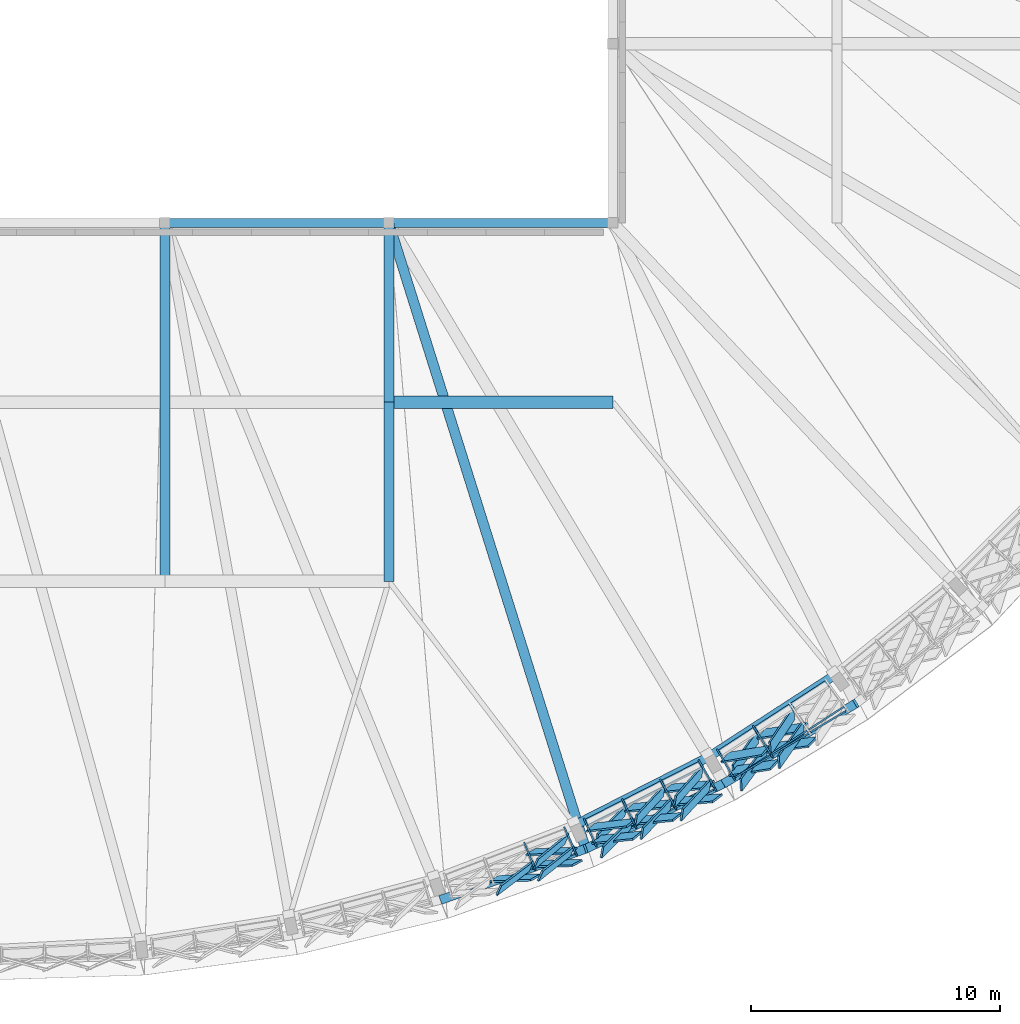
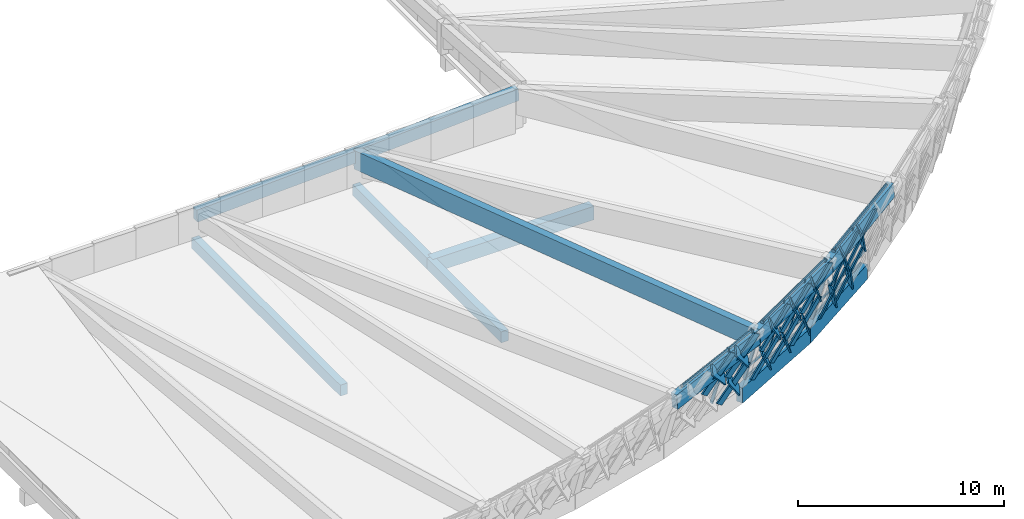
# One storey, part 4 of 11: 43 members, 12 beams, 3 elements without a shape of their own.
"""IFC4 building model written with IfcOpenShell, lengths in metres."""

from ifc_helpers import new_model, si_unit, direction, frame, origin, origin_2d, place, context, subcontext, project, spatial, rectangle, hollow_rectangle, extrude, material, material_profile, profile_set, type_object, element, aggregate, save


model = new_model("IFC4")

# Units and contexts
model_context = context("Model", 3, precision=1e-05, world=origin(), true_north=direction((0.0, 1.0)))
body_context = subcontext(model_context, "Body", "Model", "MODEL_VIEW")
ifc_project = project(units=[si_unit("LENGTHUNIT", "METRE"), si_unit("AREAUNIT", "SQUARE_METRE"), si_unit("VOLUMEUNIT", "CUBIC_METRE"), si_unit("PLANEANGLEUNIT", "RADIAN"), si_unit("MASSUNIT", "GRAM", prefix="KILO")], contexts=[model_context])

# Site, building, storey
site_placement = place(None, origin())
site = spatial("IfcSite", under=ifc_project, at=site_placement, CompositionType="ELEMENT")
building_placement = place(site_placement, origin())
building = spatial("IfcBuilding", under=site, at=building_placement, Name="Chiffa Square Polytechnic", CompositionType="ELEMENT")
storey_placement = place(building_placement, frame((0.0, 0.0, 30.60009765625)))
storey = spatial("IfcBuildingStorey", under=building, at=storey_placement, Name="ROOF", CompositionType="ELEMENT", Elevation=30.60009765625)

# Beams
ifc_material_1 = material(Name="Concrete C35/45", Category="concrete")
ifc_material_profile_1 = material_profile(ifc_material_1, rectangle(XDim=0.39990234375, YDim=0.64990234375, at=origin_2d()), Name="RC 400x650")
ifc_profile_set_1 = profile_set([ifc_material_profile_1], Name="Concrete C35/45")
beam_type_1 = type_object("IfcBeamType", Name="BM-RC-400X650", PredefinedType="BEAM", material=ifc_profile_set_1)
beam_1_placement = place(storey_placement, frame((130.199951171875, 14.39990234375, -1.30517578125), z_axis=(0.0, 1.0, 0.0), x_axis=(-1.0, 0.0, 0.0)))
element("IfcBeam", 1, at=beam_1_placement, inside=storey, type_object=beam_type_1, Name="Attic floor girder BM-V1-ROOF-Y-1302-0144", PredefinedType="BEAM", context=body_context, shape_type="SweptSolid", body=[
    extrude(rectangle(XDim=0.39990234375, YDim=0.64990234375, at=origin_2d()), origin(), (0.0, 0.0, 1.0), 14.400146484375),
])
beam_2_placement = place(storey_placement, frame((139.199951171875, 14.39990234375, -1.30517578125), z_axis=(0.0, 1.0, 0.0), x_axis=(-1.0, 0.0, 0.0)))
element("IfcBeam", 2, at=beam_2_placement, inside=storey, type_object=beam_type_1, Name="Attic floor girder BM-V1-ROOF-Y-1392-0144", PredefinedType="BEAM", context=body_context, shape_type="SweptSolid", body=[
    extrude(rectangle(XDim=0.39990234375, YDim=0.64990234375, at=origin_2d()), origin(), (0.0, 0.0, 1.0), 7.2001953125),
])
beam_3_placement = place(storey_placement, frame((139.199951171875, 21.60009765625, -1.30517578125), z_axis=(0.0, 1.0, 0.0), x_axis=(-1.0, 0.0, 0.0)))
element("IfcBeam", 3, at=beam_3_placement, inside=storey, type_object=beam_type_1, Name="Attic floor girder BM-V1-ROOF-Y-1392-0216", PredefinedType="BEAM", context=body_context, shape_type="SweptSolid", body=[
    extrude(rectangle(XDim=0.39990234375, YDim=0.64990234375, at=origin_2d()), origin(), (0.0, 0.0, 1.0), 7.199951171875),
])
ifc_material_2 = material(Name="Concrete C40/50", Category="concrete")
ifc_material_profile_2 = material_profile(ifc_material_2, rectangle(XDim=0.5, YDim=0.800048828125, at=origin_2d()), Name="RC 500x800")
ifc_profile_set_2 = profile_set([ifc_material_profile_2], Name="Concrete C40/50")
beam_type_2 = type_object("IfcBeamType", Name="BM-RC-500X800", PredefinedType="BEAM", material=ifc_profile_set_2)
beam_4_placement = place(storey_placement, frame((139.199951171875, 21.60009765625, -1.380126953125), z_axis=(1.0, 0.0, 0.0), x_axis=(0.0, 1.0, 0.0)))
element("IfcBeam", 4, at=beam_4_placement, inside=storey, type_object=beam_type_2, Name="Attic floor girder BM-V1-ROOF-X-1392-0216", PredefinedType="BEAM", context=body_context, shape_type="SweptSolid", body=[
    extrude(rectangle(XDim=0.5, YDim=0.800048828125, at=origin_2d()), origin(), (0.0, 0.0, 1.0), 9.0),
])

# Curtain wall, members
ifc_material_3 = material(Name="Aluminium EN AW-6060 T66 and glulam shading", Category="wood")
curtain_wall_type_1 = type_object("IfcCurtainWallType", Name="CW-PROW-LEAN-300", PredefinedType="USERDEFINED", material=ifc_material_3)
curtain_wall_1_placement = place(storey_placement, origin())
curtain_wall_1 = element("IfcCurtainWall", 5, at=curtain_wall_1_placement, inside=storey, type_object=curtain_wall_type_1, Name="Outward-leaning diamond-fin prow curtain wall CW-V1-ROOF-115", ObjectType="CURTAIN WALL", PredefinedType="USERDEFINED")
ifc_material_4 = material(Name="Aluminium EN AW-6060 T66", Category="aluminium")
ifc_material_profile_3 = material_profile(ifc_material_4, hollow_rectangle(XDim=0.06494140625, YDim=0.179931640625, WallThickness=0.00390625, at=origin_2d()), Name="ALU 65x180x4")
ifc_profile_set_3 = profile_set([ifc_material_profile_3], Name="Aluminium EN AW-6060 T66")
member_type_1 = type_object("IfcMemberType", Name="CWM-ALU-75X180", PredefinedType="MULLION", material=ifc_profile_set_3)
member_1_placement = place(storey_placement, frame((144.6669921875, 3.837646484375, -0.75), z_axis=(0.101894614975, -0.252118943945, 0.962316749071), x_axis=(0.927143040827, 0.374707595128, 0.0)))
member_1 = element("IfcMember", 6, at=member_1_placement, type_object=member_type_1, Name="Leaning prow mullion CW-V1-ROOF-115-M02", PredefinedType="MULLION", context=body_context, shape_type="SweptSolid", body=[
    extrude(hollow_rectangle(XDim=0.06494140625, YDim=0.179931640625, WallThickness=0.00390625, at=origin_2d()), origin(), (0.0, 0.0, 1.0), 3.823974609375),
])
member_2_placement = place(storey_placement, frame((146.280029296875, 4.45703125, -0.75), z_axis=(0.110746294527, -0.24872528443, 0.962221903271), x_axis=(0.913536363976, 0.406757067172, 0.0)))
member_2 = element("IfcMember", 7, at=member_2_placement, type_object=member_type_1, Name="Leaning prow mullion CW-V1-ROOF-115-M03", PredefinedType="MULLION", context=body_context, shape_type="SweptSolid", body=[
    extrude(hollow_rectangle(XDim=0.06494140625, YDim=0.179931640625, WallThickness=0.00390625, at=origin_2d()), origin(), (0.0, 0.0, 1.0), 4.0341796875),
])

curtain_wall_type_2 = type_object("IfcCurtainWallType", Name="CW-PROW-LEAN-150", PredefinedType="USERDEFINED", material=ifc_material_3)
curtain_wall_2_placement = place(storey_placement, origin())
curtain_wall_2 = element("IfcCurtainWall", 8, at=curtain_wall_2_placement, inside=storey, type_object=curtain_wall_type_2, Name="Outward-leaning diamond-fin prow curtain wall CW-V1-ROOF-116", ObjectType="CURTAIN WALL", PredefinedType="USERDEFINED")
member_3_placement = place(storey_placement, frame((147.06396484375, 4.805908203125, -0.75), z_axis=(0.110802732449, -0.248837157745, 0.962186480578), x_axis=(0.913527325173, 0.406777366827, 0.0)))
member_3 = element("IfcMember", 9, at=member_3_placement, type_object=member_type_1, Name="Leaning prow mullion CW-V1-ROOF-116-M00", PredefinedType="MULLION", context=body_context, shape_type="SweptSolid", body=[
    extrude(hollow_rectangle(XDim=0.06494140625, YDim=0.179931640625, WallThickness=0.00390625, at=origin_2d()), origin(), (0.0, 0.0, 1.0), 4.034423828125),
])
member_4_placement = place(storey_placement, frame((148.603271484375, 5.59033203125, -0.75), z_axis=(0.119302598617, -0.244512970146, 0.962278700478), x_axis=(0.898727918877, 0.43850670215, 0.0)))
member_4 = element("IfcMember", 10, at=member_4_placement, type_object=member_type_1, Name="Leaning prow mullion CW-V1-ROOF-116-M01", PredefinedType="MULLION", context=body_context, shape_type="SweptSolid", body=[
    extrude(hollow_rectangle(XDim=0.06494140625, YDim=0.179931640625, WallThickness=0.00390625, at=origin_2d()), origin(), (0.0, 0.0, 1.0), 4.256591796875),
])
member_5_placement = place(storey_placement, frame((150.142578125, 6.374755859375, -0.75), z_axis=(0.127773889008, -0.240175663383, 0.96228347383), x_axis=(0.882840570816, 0.469672786653, 0.0)))
member_5 = element("IfcMember", 11, at=member_5_placement, type_object=member_type_1, Name="Leaning prow mullion CW-V1-ROOF-116-M02", PredefinedType="MULLION", context=body_context, shape_type="SweptSolid", body=[
    extrude(hollow_rectangle(XDim=0.06494140625, YDim=0.179931640625, WallThickness=0.00390625, at=origin_2d()), origin(), (0.0, 0.0, 1.0), 4.478759765625),
])
member_6_placement = place(storey_placement, frame((151.681884765625, 7.158935546875, -0.75), z_axis=(0.136255725428, -0.235799256543, 0.962202207388), x_axis=(0.865839376274, 0.500322070765, 0.0)))
member_6 = element("IfcMember", 12, at=member_6_placement, type_object=member_type_1, Name="Leaning prow mullion CW-V1-ROOF-116-M03", PredefinedType="MULLION", context=body_context, shape_type="SweptSolid", body=[
    extrude(hollow_rectangle(XDim=0.06494140625, YDim=0.179931640625, WallThickness=0.00390625, at=origin_2d()), origin(), (0.0, 0.0, 1.0), 4.70166015625),
])

curtain_wall_3_placement = place(storey_placement, origin())
curtain_wall_3 = element("IfcCurtainWall", 13, at=curtain_wall_3_placement, inside=storey, type_object=curtain_wall_type_1, Name="Outward-leaning diamond-fin prow curtain wall CW-V1-ROOF-117", ObjectType="CURTAIN WALL", PredefinedType="USERDEFINED")
member_7_placement = place(storey_placement, frame((152.426025390625, 7.587890625, -0.75), z_axis=(0.136157131614, -0.23570450816, 0.962239377881), x_axis=(0.865909142837, 0.500201315823, 0.0)))
member_7 = element("IfcMember", 14, at=member_7_placement, type_object=member_type_1, Name="Leaning prow mullion CW-V1-ROOF-117-M00", PredefinedType="MULLION", context=body_context, shape_type="SweptSolid", body=[
    extrude(hollow_rectangle(XDim=0.06494140625, YDim=0.179931640625, WallThickness=0.00390625, at=origin_2d()), origin(), (0.0, 0.0, 1.0), 4.701416015625),
])
member_8_placement = place(storey_placement, frame((153.874755859375, 8.529052734375, -0.75), z_axis=(0.144159133107, -0.230585353264, 0.962314158268), x_axis=(0.847926754906, 0.530113401372, 0.0)))
member_8 = element("IfcMember", 15, at=member_8_placement, type_object=member_type_1, Name="Leaning prow mullion CW-V1-ROOF-117-M01", PredefinedType="MULLION", context=body_context, shape_type="SweptSolid", body=[
    extrude(hollow_rectangle(XDim=0.06494140625, YDim=0.179931640625, WallThickness=0.00390625, at=origin_2d()), origin(), (0.0, 0.0, 1.0), 4.93505859375),
])

# Member
ifc_material_5 = material(Name="Glulam GL28h", Category="wood")
ifc_material_profile_4 = material_profile(ifc_material_5, rectangle(XDim=0.080078125, YDim=0.580078125, at=origin_2d()), Name="GL28h 80x580")
ifc_profile_set_4 = profile_set([ifc_material_profile_4], Name="Glulam GL28h")
member_type_2 = type_object("IfcMemberType", Name="CWM-GL-80X580", PredefinedType="MULLION", material=ifc_profile_set_4)
member_9_placement = place(storey_placement, frame((143.447021484375, 2.43896484375, 0.994873046875), z_axis=(0.65816503881, 0.025156530372, 0.75245327474), x_axis=(-0.305115859346, 0.922599923115, 0.236037484829)))
member_9 = element("IfcMember", 16, at=member_9_placement, type_object=member_type_2, Name="Diamond glulam fin CW-V1-ROOF-115-DF04A", PredefinedType="MULLION", context=body_context, shape_type="SweptSolid", body=[
    extrude(rectangle(XDim=0.080078125, YDim=0.580078125, at=origin_2d()), origin(), (0.0, 0.0, 1.0), 2.50390625),
])

member_10_placement = place(storey_placement, frame((144.906005859375, 2.972900390625, 1.083984375), z_axis=(-0.564489246854, -0.43007690166, 0.704546484517), x_axis=(0.766619452498, -0.589590240646, 0.254318625323)))
member_10 = element("IfcMember", 17, at=member_10_placement, type_object=member_type_2, Name="Diamond glulam fin CW-V1-ROOF-115-DF04B", PredefinedType="MULLION", context=body_context, shape_type="SweptSolid", body=[
    extrude(rectangle(XDim=0.080078125, YDim=0.580078125, at=origin_2d()), origin(), (0.0, 0.0, 1.0), 2.292236328125),
])

member_11_placement = place(storey_placement, frame((144.89404296875, 3.510986328125, -0.710205078125), z_axis=(0.65738982588, 0.024257927154, 0.753160122285), x_axis=(-0.304150909774, 0.922992528411, 0.235747781708)))
member_11 = element("IfcMember", 18, at=member_11_placement, type_object=member_type_2, Name="Diamond glulam fin CW-V1-ROOF-115-DF05A", PredefinedType="MULLION", context=body_context, shape_type="SweptSolid", body=[
    extrude(rectangle(XDim=0.080078125, YDim=0.580078125, at=origin_2d()), origin(), (0.0, 0.0, 1.0), 2.51611328125),
])

member_12_placement = place(storey_placement, frame((146.330078125, 4.06298828125, -0.710205078125), z_axis=(-0.51371875559, -0.423121850147, 0.746365151975), x_axis=(0.799992512666, -0.550569146348, 0.238507011991)))
member_12 = element("IfcMember", 19, at=member_12_placement, type_object=member_type_2, Name="Diamond glulam fin CW-V1-ROOF-115-DF05B", PredefinedType="MULLION", context=body_context, shape_type="SweptSolid", body=[
    extrude(rectangle(XDim=0.080078125, YDim=0.580078125, at=origin_2d()), origin(), (0.0, 0.0, 1.0), 2.419921875),
])

member_13_placement = place(storey_placement, frame((145.0869140625, 3.0390625, 1.095947265625), z_axis=(0.64551289556, 0.016529938836, 0.763570470086), x_axis=(-0.297448288662, 0.92626957802, 0.231406967065)))
member_13 = element("IfcMember", 20, at=member_13_placement, type_object=member_type_2, Name="Diamond glulam fin CW-V1-ROOF-115-DF06A", PredefinedType="MULLION", context=body_context, shape_type="SweptSolid", body=[
    extrude(rectangle(XDim=0.080078125, YDim=0.580078125, at=origin_2d()), origin(), (0.0, 0.0, 1.0), 2.599365234375),
])

member_14_placement = place(storey_placement, frame((146.548095703125, 3.572021484375, 1.184814453125), z_axis=(-0.537827053086, -0.42639193647, 0.727277098142), x_axis=(0.784222743148, -0.569645994949, 0.245963675302)))
member_14 = element("IfcMember", 21, at=member_14_placement, type_object=member_type_2, Name="Diamond glulam fin CW-V1-ROOF-115-DF06B", PredefinedType="MULLION", context=body_context, shape_type="SweptSolid", body=[
    extrude(rectangle(XDim=0.080078125, YDim=0.580078125, at=origin_2d()), origin(), (0.0, 0.0, 1.0), 2.359619140625),
])

member_15_placement = place(storey_placement, frame((147.323974609375, 4.5048828125, -0.710205078125), z_axis=(0.626595175375, 0.073321947896, 0.775888122188), x_axis=(-0.453414549086, 0.844029029144, 0.286409225827)))
member_15 = element("IfcMember", 22, at=member_15_placement, type_object=member_type_2, Name="Diamond glulam fin CW-V1-ROOF-116-DF01A", PredefinedType="MULLION", context=body_context, shape_type="SweptSolid", body=[
    extrude(rectangle(XDim=0.080078125, YDim=0.580078125, at=origin_2d()), origin(), (0.0, 0.0, 1.0), 2.58056640625),
])

member_16_placement = place(storey_placement, frame((148.694091796875, 5.202880859375, -0.710205078125), z_axis=(-0.455396047053, -0.471539358421, 0.755158972527), x_axis=(0.879075037296, -0.372364796549, 0.297609705982)))
member_16 = element("IfcMember", 23, at=member_16_placement, type_object=member_type_2, Name="Diamond glulam fin CW-V1-ROOF-116-DF01B", PredefinedType="MULLION", context=body_context, shape_type="SweptSolid", body=[
    extrude(rectangle(XDim=0.080078125, YDim=0.580078125, at=origin_2d()), origin(), (0.0, 0.0, 1.0), 2.525634765625),
])

member_17_placement = place(storey_placement, frame((147.5439453125, 4.011962890625, 1.197021484375), z_axis=(0.615716554925, 0.064460969888, 0.785326624629), x_axis=(-0.447367606399, 0.849040094066, 0.281057188866)))
member_17 = element("IfcMember", 24, at=member_17_placement, type_object=member_type_2, Name="Diamond glulam fin CW-V1-ROOF-116-DF02A", PredefinedType="MULLION", context=body_context, shape_type="SweptSolid", body=[
    extrude(rectangle(XDim=0.080078125, YDim=0.580078125, at=origin_2d()), origin(), (0.0, 0.0, 1.0), 2.670166015625),
])

member_18_placement = place(storey_placement, frame((148.94091796875, 4.694091796875, 1.2919921875), z_axis=(-0.478234495512, -0.477837373241, 0.736860374858), x_axis=(0.866419978579, -0.39384993157, 0.306917989244)))
member_18 = element("IfcMember", 25, at=member_18_placement, type_object=member_type_2, Name="Diamond glulam fin CW-V1-ROOF-116-DF02B", PredefinedType="MULLION", context=body_context, shape_type="SweptSolid", body=[
    extrude(rectangle(XDim=0.080078125, YDim=0.580078125, at=origin_2d()), origin(), (0.0, 0.0, 1.0), 2.458984375),
])

member_19_placement = place(storey_placement, frame((148.863037109375, 5.2890625, -0.710205078125), z_axis=(0.614890113677, 0.063690896652, 0.786036651681), x_axis=(-0.446754245007, 0.849498356268, 0.280647799325)))
member_19 = element("IfcMember", 26, at=member_19_placement, type_object=member_type_2, Name="Diamond glulam fin CW-V1-ROOF-116-DF03A", PredefinedType="MULLION", context=body_context, shape_type="SweptSolid", body=[
    extrude(rectangle(XDim=0.080078125, YDim=0.580078125, at=origin_2d()), origin(), (0.0, 0.0, 1.0), 2.683349609375),
])

member_20_placement = place(storey_placement, frame((150.23388671875, 5.987060546875, -0.710205078125), z_axis=(-0.430319552047, -0.46456124302, 0.773956028861), x_axis=(0.892439674818, -0.347712532527, 0.287484645736)))
member_20 = element("IfcMember", 27, at=member_20_placement, type_object=member_type_2, Name="Diamond glulam fin CW-V1-ROOF-116-DF03B", PredefinedType="MULLION", context=body_context, shape_type="SweptSolid", body=[
    extrude(rectangle(XDim=0.080078125, YDim=0.580078125, at=origin_2d()), origin(), (0.0, 0.0, 1.0), 2.6025390625),
])

member_21_placement = place(storey_placement, frame((149.114013671875, 4.778076171875, 1.303955078125), z_axis=(0.60482178086, 0.056231793681, 0.794373085381), x_axis=(-0.441572593863, 0.853795009248, 0.275767522622)))
member_21 = element("IfcMember", 28, at=member_21_placement, type_object=member_type_2, Name="Diamond glulam fin CW-V1-ROOF-116-DF04A", PredefinedType="MULLION", context=body_context, shape_type="SweptSolid", body=[
    extrude(rectangle(XDim=0.080078125, YDim=0.580078125, at=origin_2d()), origin(), (0.0, 0.0, 1.0), 2.7744140625),
])

member_22_placement = place(storey_placement, frame((150.512939453125, 5.4599609375, 1.39892578125), z_axis=(-0.453256971143, -0.470593616873, 0.757033530214), x_axis=(0.880167082076, -0.370565272895, 0.296626509528)))
member_22 = element("IfcMember", 29, at=member_22_placement, type_object=member_type_2, Name="Diamond glulam fin CW-V1-ROOF-116-DF04B", PredefinedType="MULLION", context=body_context, shape_type="SweptSolid", body=[
    extrude(rectangle(XDim=0.080078125, YDim=0.580078125, at=origin_2d()), origin(), (0.0, 0.0, 1.0), 2.534912109375),
])

member_23_placement = place(storey_placement, frame((150.403076171875, 6.073974609375, -0.710205078125), z_axis=(0.603851532624, 0.055277864077, 0.795177768987), x_axis=(-0.440725023046, 0.854387123313, 0.275289116343)))
member_23 = element("IfcMember", 30, at=member_23_placement, type_object=member_type_2, Name="Diamond glulam fin CW-V1-ROOF-116-DF05A", PredefinedType="MULLION", context=body_context, shape_type="SweptSolid", body=[
    extrude(rectangle(XDim=0.080078125, YDim=0.580078125, at=origin_2d()), origin(), (0.0, 0.0, 1.0), 2.786865234375),
])

member_24_placement = place(storey_placement, frame((151.77294921875, 6.77197265625, -0.710205078125), z_axis=(-0.405461245549, -0.457737695446, 0.79125051692), x_axis=(0.90515826261, -0.321901088077, 0.277611615615)))
member_24 = element("IfcMember", 31, at=member_24_placement, type_object=member_type_2, Name="Diamond glulam fin CW-V1-ROOF-116-DF05B", PredefinedType="MULLION", context=body_context, shape_type="SweptSolid", body=[
    extrude(rectangle(XDim=0.080078125, YDim=0.580078125, at=origin_2d()), origin(), (0.0, 0.0, 1.0), 2.6806640625),
])

member_25_placement = place(storey_placement, frame((150.68603515625, 5.544921875, 1.410888671875), z_axis=(0.59474952726, 0.048658242396, 0.80243714724), x_axis=(-0.435738909131, 0.858334360912, 0.270912768149)))
member_25 = element("IfcMember", 32, at=member_25_placement, type_object=member_type_2, Name="Diamond glulam fin CW-V1-ROOF-116-DF06A", PredefinedType="MULLION", context=body_context, shape_type="SweptSolid", body=[
    extrude(rectangle(XDim=0.080078125, YDim=0.580078125, at=origin_2d()), origin(), (0.0, 0.0, 1.0), 2.880126953125),
])

member_26_placement = place(storey_placement, frame((152.0859375, 6.22802734375, 1.505859375), z_axis=(-0.427958993214, -0.463941568533, 0.77563478591), x_axis=(0.89367653771, -0.345298406244, 0.286550617855)))
member_26 = element("IfcMember", 33, at=member_26_placement, type_object=member_type_2, Name="Diamond glulam fin CW-V1-ROOF-116-DF06B", PredefinedType="MULLION", context=body_context, shape_type="SweptSolid", body=[
    extrude(rectangle(XDim=0.080078125, YDim=0.580078125, at=origin_2d()), origin(), (0.0, 0.0, 1.0), 2.6123046875),
])

member_27_placement = place(storey_placement, frame((152.716064453125, 7.31591796875, -0.710205078125), z_axis=(0.572431696334, 0.097582316019, 0.814125079231), x_axis=(-0.57803363201, 0.752231887702, 0.316266197041)))
member_27 = element("IfcMember", 34, at=member_27_placement, type_object=member_type_2, Name="Diamond glulam fin CW-V1-ROOF-117-DF01A", PredefinedType="MULLION", context=body_context, shape_type="SweptSolid", body=[
    extrude(rectangle(XDim=0.080078125, YDim=0.580078125, at=origin_2d()), origin(), (0.0, 0.0, 1.0), 2.859619140625),
])

member_28_placement = place(storey_placement, frame((154.0048828125, 8.153076171875, -0.710205078125), z_axis=(-0.347830934743, -0.494469823167, 0.79656339033), x_axis=(0.935564305331, -0.127688989258, 0.329264259544)))
member_28 = element("IfcMember", 35, at=member_28_placement, type_object=member_type_2, Name="Diamond glulam fin CW-V1-ROOF-117-DF01B", PredefinedType="MULLION", context=body_context, shape_type="SweptSolid", body=[
    extrude(rectangle(XDim=0.080078125, YDim=0.580078125, at=origin_2d()), origin(), (0.0, 0.0, 1.0), 2.797119140625),
])

member_29_placement = place(storey_placement, frame((153.031982421875, 6.77001953125, 1.517822265625), z_axis=(0.563978572164, 0.089843865577, 0.820887477038), x_axis=(-0.573459730853, 0.757891396636, 0.311037888359)))
member_29 = element("IfcMember", 36, at=member_29_placement, type_object=member_type_2, Name="Diamond glulam fin CW-V1-ROOF-117-DF02A", PredefinedType="MULLION", context=body_context, shape_type="SweptSolid", body=[
    extrude(rectangle(XDim=0.080078125, YDim=0.580078125, at=origin_2d()), origin(), (0.0, 0.0, 1.0), 2.959228515625),
])

member_30_placement = place(storey_placement, frame((154.35302734375, 7.594970703125, 1.617919921875), z_axis=(-0.369120162817, -0.50306855321, 0.781455268184), x_axis=(0.927958891978, -0.152988157733, 0.339833662831)))
member_30 = element("IfcMember", 37, at=member_30_placement, type_object=member_type_2, Name="Diamond glulam fin CW-V1-ROOF-117-DF02B", PredefinedType="MULLION", context=body_context, shape_type="SweptSolid", body=[
    extrude(rectangle(XDim=0.080078125, YDim=0.580078125, at=origin_2d()), origin(), (0.0, 0.0, 1.0), 2.72314453125),
])

member_31_placement = place(storey_placement, frame((154.1650390625, 8.257080078125, -0.710205078125), z_axis=(0.563307705906, 0.089133565832, 0.821425368435), x_axis=(-0.572956865725, 0.758444396301, 0.310616367466)))
member_31 = element("IfcMember", 38, at=member_31_placement, type_object=member_type_2, Name="Diamond glulam fin CW-V1-ROOF-117-DF03A", PredefinedType="MULLION", context=body_context, shape_type="SweptSolid", body=[
    extrude(rectangle(XDim=0.080078125, YDim=0.580078125, at=origin_2d()), origin(), (0.0, 0.0, 1.0), 2.971923828125),
])

member_32_placement = place(storey_placement, frame((155.4541015625, 9.093994140625, -0.710205078125), z_axis=(-0.32534660626, -0.484547964867, 0.81201161047), x_axis=(0.942808055849, -0.100345413035, 0.31787382388)))
member_32 = element("IfcMember", 39, at=member_32_placement, type_object=member_type_2, Name="Diamond glulam fin CW-V1-ROOF-117-DF03B", PredefinedType="MULLION", context=body_context, shape_type="SweptSolid", body=[
    extrude(rectangle(XDim=0.080078125, YDim=0.580078125, at=origin_2d()), origin(), (0.0, 0.0, 1.0), 2.883056640625),
])

member_33_placement = place(storey_placement, frame((154.51611328125, 7.697021484375, 1.630859375), z_axis=(0.555981891105, 0.082014481364, 0.827138296544), x_axis=(-0.56805926493, 0.76395016737, 0.306086284082)))
member_33 = element("IfcMember", 40, at=member_33_placement, type_object=member_type_2, Name="Diamond glulam fin CW-V1-ROOF-117-DF04A", PredefinedType="MULLION", context=body_context, shape_type="SweptSolid", body=[
    extrude(rectangle(XDim=0.080078125, YDim=0.580078125, at=origin_2d()), origin(), (0.0, 0.0, 1.0), 3.072021484375),
])

member_34_placement = place(storey_placement, frame((155.839111328125, 8.52197265625, 1.73095703125), z_axis=(-0.345934705293, -0.493683087468, 0.797876048533), x_axis=(0.936205657576, -0.125398766226, 0.328320142776)))
member_34 = element("IfcMember", 41, at=member_34_placement, type_object=member_type_2, Name="Diamond glulam fin CW-V1-ROOF-117-DF04B", PredefinedType="MULLION", context=body_context, shape_type="SweptSolid", body=[
    extrude(rectangle(XDim=0.080078125, YDim=0.580078125, at=origin_2d()), origin(), (0.0, 0.0, 1.0), 2.807373046875),
])

ifc_material_profile_5 = material_profile(ifc_material_4, hollow_rectangle(XDim=0.06494140625, YDim=0.139892578125, WallThickness=0.00390625, at=origin_2d()), Name="ALU 65x140x4")
ifc_profile_set_5 = profile_set([ifc_material_profile_5], Name="Aluminium EN AW-6060 T66")
member_type_3 = type_object("IfcMemberType", Name="CWT-ALU-75X140", PredefinedType="USERDEFINED", material=ifc_profile_set_5)
member_35_placement = place(storey_placement, frame((141.797119140625, 1.759521484375, 2.475830078125), z_axis=(0.938486764527, 0.32479720645, 0.117257696932), x_axis=(-0.327053377057, 0.945005866943, 0.0)))
member_35 = element("IfcMember", 42, at=member_35_placement, type_object=member_type_3, Name="Swept prow eave transom CW-V1-ROOF-115-TSLP", ObjectType="TRANSOM", PredefinedType="USERDEFINED", context=body_context, shape_type="SweptSolid", body=[
    extrude(hollow_rectangle(XDim=0.06494140625, YDim=0.139892578125, WallThickness=0.00390625, at=origin_2d()), origin(), (0.0, 0.0, 1.0), 5.167724609375),
])

aggregate(curtain_wall_1, [member_1, member_2, member_35, member_9, member_10, member_11, member_12, member_13, member_14])

member_36_placement = place(storey_placement, frame((147.068603515625, 4.795654296875, -0.710205078125), z_axis=(0.891010743756, 0.453982218277, 0.0), x_axis=(-0.453982218277, 0.891010743756, 0.0)))
member_36 = element("IfcMember", 43, at=member_36_placement, type_object=member_type_3, Name="Leaning prow transom CW-V1-ROOF-116-T01", ObjectType="TRANSOM", PredefinedType="USERDEFINED", context=body_context, shape_type="SweptSolid", body=[
    extrude(hollow_rectangle(XDim=0.06494140625, YDim=0.139892578125, WallThickness=0.00390625, at=origin_2d()), origin(), (0.0, 0.0, 1.0), 5.18408203125),
])

member_37_placement = place(storey_placement, frame((147.161865234375, 4.586181640625, 0.099853515625), z_axis=(0.890997995144, 0.454007238542, 0.0), x_axis=(-0.454007238542, 0.890997995144, 0.0)))
member_37 = element("IfcMember", 44, at=member_37_placement, type_object=member_type_3, Name="Leaning prow transom CW-V1-ROOF-116-T02", ObjectType="TRANSOM", PredefinedType="USERDEFINED", context=body_context, shape_type="SweptSolid", body=[
    extrude(hollow_rectangle(XDim=0.06494140625, YDim=0.139892578125, WallThickness=0.00390625, at=origin_2d()), origin(), (0.0, 0.0, 1.0), 5.2080078125),
])

member_38_placement = place(storey_placement, frame((147.50634765625, 3.8125, 3.091796875), z_axis=(0.89098110087, 0.454040392358, 0.0), x_axis=(-0.454040392358, 0.89098110087, 0.0)))
member_38 = element("IfcMember", 45, at=member_38_placement, type_object=member_type_3, Name="Leaning prow transom CW-V1-ROOF-116-T03", ObjectType="TRANSOM", PredefinedType="USERDEFINED", context=body_context, shape_type="SweptSolid", body=[
    extrude(hollow_rectangle(XDim=0.06494140625, YDim=0.139892578125, WallThickness=0.00390625, at=origin_2d()), origin(), (0.0, 0.0, 1.0), 5.296875),
])

member_39_placement = place(storey_placement, frame((147.576171875, 3.85107421875, 3.081787109375), z_axis=(0.899458135164, 0.419129333419, 0.123716065869), x_axis=(-0.422374155996, 0.906421575398, 0.0)))
member_39 = element("IfcMember", 46, at=member_39_placement, type_object=member_type_3, Name="Swept prow eave transom CW-V1-ROOF-116-TSLP", ObjectType="TRANSOM", PredefinedType="USERDEFINED", context=body_context, shape_type="SweptSolid", body=[
    extrude(hollow_rectangle(XDim=0.06494140625, YDim=0.139892578125, WallThickness=0.00390625, at=origin_2d()), origin(), (0.0, 0.0, 1.0), 5.18994140625),
])

aggregate(curtain_wall_2, [member_3, member_4, member_5, member_6, member_36, member_37, member_38, member_39, member_15, member_16, member_17, member_18, member_19, member_20, member_21, member_22, member_23, member_24, member_25, member_26])

member_40_placement = place(storey_placement, frame((152.431640625, 7.578125, -0.710205078125), z_axis=(0.838613589117, 0.544726764671, 0.0), x_axis=(-0.544726764671, 0.838613589117, 0.0)))
member_40 = element("IfcMember", 47, at=member_40_placement, type_object=member_type_3, Name="Leaning prow transom CW-V1-ROOF-117-T01", ObjectType="TRANSOM", PredefinedType="USERDEFINED", context=body_context, shape_type="SweptSolid", body=[
    extrude(hollow_rectangle(XDim=0.06494140625, YDim=0.139892578125, WallThickness=0.00390625, at=origin_2d()), origin(), (0.0, 0.0, 1.0), 5.183837890625),
])

member_41_placement = place(storey_placement, frame((152.54638671875, 7.3798828125, 0.099853515625), z_axis=(0.838626740652, 0.544706517185, 0.0), x_axis=(-0.544706517185, 0.838626740652, 0.0)))
member_41 = element("IfcMember", 48, at=member_41_placement, type_object=member_type_3, Name="Leaning prow transom CW-V1-ROOF-117-T02", ObjectType="TRANSOM", PredefinedType="USERDEFINED", context=body_context, shape_type="SweptSolid", body=[
    extrude(hollow_rectangle(XDim=0.06494140625, YDim=0.139892578125, WallThickness=0.00390625, at=origin_2d()), origin(), (0.0, 0.0, 1.0), 5.207275390625),
])

member_42_placement = place(storey_placement, frame((153.060546875, 6.489501953125, 3.73388671875), z_axis=(0.838660775182, 0.544654114251, 0.0), x_axis=(-0.544654114251, 0.838660775182, 0.0)))
member_42 = element("IfcMember", 49, at=member_42_placement, type_object=member_type_3, Name="Leaning prow transom CW-V1-ROOF-117-T03", ObjectType="TRANSOM", PredefinedType="USERDEFINED", context=body_context, shape_type="SweptSolid", body=[
    extrude(hollow_rectangle(XDim=0.06494140625, YDim=0.139892578125, WallThickness=0.00390625, at=origin_2d()), origin(), (0.0, 0.0, 1.0), 5.3154296875),
])

member_43_placement = place(storey_placement, frame((153.1259765625, 6.535400390625, 3.723876953125), z_axis=(0.850961559346, 0.509012616378, 0.129501277538), x_axis=(-0.513335281842, 0.858188142785, 0.0)))
member_43 = element("IfcMember", 50, at=member_43_placement, type_object=member_type_3, Name="Swept prow eave transom CW-V1-ROOF-117-TSLP", ObjectType="TRANSOM", PredefinedType="USERDEFINED", context=body_context, shape_type="SweptSolid", body=[
    extrude(hollow_rectangle(XDim=0.06494140625, YDim=0.139892578125, WallThickness=0.00390625, at=origin_2d()), origin(), (0.0, 0.0, 1.0), 5.212646484375),
])

aggregate(curtain_wall_3, [member_7, member_8, member_40, member_41, member_42, member_43, member_27, member_28, member_29, member_30, member_31, member_32, member_33, member_34])

# Beams
ifc_material_6 = material(Name="Glulam GL32c", Category="wood")
ifc_material_profile_6 = material_profile(ifc_material_6, rectangle(XDim=0.360107421875, YDim=0.719970703125, at=origin_2d()), Name="GL32c 360x720")
ifc_profile_set_6 = profile_set([ifc_material_profile_6], Name="Glulam GL32c")
beam_type_3 = type_object("IfcBeamType", Name="RB-GL-360X720", PredefinedType="SPANDREL", material=ifc_profile_set_6)
beam_5_placement = place(storey_placement, frame((130.199951171875, 28.800048828125, 0.31982421875), z_axis=(0.999013085093, 0.0, 0.044416841538), x_axis=(0.0, 1.0, 0.0)))
element("IfcBeam", 51, at=beam_5_placement, inside=storey, type_object=beam_type_3, Name="Faculty courtyard roof spine girder RB-V1-SPINE-03", PredefinedType="SPANDREL", context=body_context, shape_type="SweptSolid", body=[
    extrude(rectangle(XDim=0.360107421875, YDim=0.719970703125, at=origin_2d()), origin(), (0.0, 0.0, 1.0), 9.0087890625),
])
beam_6_placement = place(storey_placement, frame((139.199951171875, 28.800048828125, 0.719970703125), z_axis=(0.998460353205, 0.0, 0.055470019623), x_axis=(0.0, 1.0, 0.0)))
element("IfcBeam", 52, at=beam_6_placement, inside=storey, type_object=beam_type_3, Name="Faculty courtyard roof spine girder RB-V1-SPINE-04", PredefinedType="SPANDREL", context=body_context, shape_type="SweptSolid", body=[
    extrude(rectangle(XDim=0.360107421875, YDim=0.719970703125, at=origin_2d()), origin(), (0.0, 0.0, 1.0), 9.013916015625),
])
ifc_material_profile_7 = material_profile(ifc_material_6, rectangle(XDim=0.360107421875, YDim=0.89990234375, at=origin_2d()), Name="GL32c 360x900")
ifc_profile_set_7 = profile_set([ifc_material_profile_7], Name="Glulam GL32c")
beam_type_4 = type_object("IfcBeamType", Name="RB-GL-360X900", PredefinedType="SPANDREL", material=ifc_profile_set_7)
beam_7_placement = place(storey_placement, frame((141.31005859375, 1.612060546875, 1.885986328125), z_axis=(0.938641482923, 0.330643419945, 0.098117762829), x_axis=(-0.332246572423, 0.943192565234, 0.0)))
element("IfcBeam", 53, at=beam_7_placement, inside=storey, type_object=beam_type_4, Name="Swept prow eave glulam girder RB-V1-PROW-ROOF-06", PredefinedType="SPANDREL", context=body_context, shape_type="SweptSolid", body=[
    extrude(rectangle(XDim=0.360107421875, YDim=0.89990234375, at=origin_2d()), origin(), (0.0, 0.0, 1.0), 6.17578125),
])
beam_8_placement = place(storey_placement, frame((147.10693359375, 3.654052734375, 2.491943359375), z_axis=(0.899119827422, 0.425276942948, 0.103552198112), x_axis=(-0.42757558048, 0.903979603187, 0.0)))
element("IfcBeam", 54, at=beam_8_placement, inside=storey, type_object=beam_type_4, Name="Swept prow eave glulam girder RB-V1-PROW-ROOF-07", PredefinedType="SPANDREL", context=body_context, shape_type="SweptSolid", body=[
    extrude(rectangle(XDim=0.360107421875, YDim=0.89990234375, at=origin_2d()), origin(), (0.0, 0.0, 1.0), 6.1982421875),
])
beam_9_placement = place(storey_placement, frame((152.679931640625, 6.2900390625, 3.1337890625), z_axis=(0.850065498457, 0.515376737107, 0.108514824711), x_axis=(-0.518438202361, 0.855115097711, 0.0)))
element("IfcBeam", 55, at=beam_9_placement, inside=storey, type_object=beam_type_4, Name="Swept prow eave glulam girder RB-V1-PROW-ROOF-08", PredefinedType="SPANDREL", context=body_context, shape_type="SweptSolid", body=[
    extrude(rectangle(XDim=0.360107421875, YDim=0.89990234375, at=origin_2d()), origin(), (0.0, 0.0, 1.0), 6.220703125),
])
beam_10_placement = place(storey_placement, frame((146.680908203125, 4.611083984375, -1.43017578125), z_axis=(0.891032096551, 0.453940307657, 0.0), x_axis=(-0.453940307657, 0.891032096551, 0.0)))
element("IfcBeam", 56, at=beam_10_placement, inside=storey, type_object=beam_type_4, Name="Prow attic perimeter beam RB-V1-ATTIC-07", PredefinedType="SPANDREL", context=body_context, shape_type="SweptSolid", body=[
    extrude(rectangle(XDim=0.360107421875, YDim=0.89990234375, at=origin_2d()), origin(), (0.0, 0.0, 1.0), 6.04248046875),
])
beam_11_placement = place(storey_placement, frame((152.06494140625, 7.35400390625, -1.43017578125), z_axis=(0.838689985422, 0.544609133556, 0.0), x_axis=(-0.544609133556, 0.838689985422, 0.0)))
element("IfcBeam", 57, at=beam_11_placement, inside=storey, type_object=beam_type_4, Name="Prow attic perimeter beam RB-V1-ATTIC-08", PredefinedType="SPANDREL", context=body_context, shape_type="SweptSolid", body=[
    extrude(rectangle(XDim=0.360107421875, YDim=0.89990234375, at=origin_2d()), origin(), (0.0, 0.0, 1.0), 6.04296875),
])
ifc_material_profile_8 = material_profile(ifc_material_6, rectangle(XDim=0.39990234375, YDim=1.10009765625, at=origin_2d()), Name="GL32c 400x1100")
ifc_profile_set_8 = profile_set([ifc_material_profile_8], Name="Glulam GL32c")
beam_type_5 = type_object("IfcBeamType", Name="RB-GL-400X1100", PredefinedType="SPANDREL", material=ifc_profile_set_8)
beam_12_placement = place(storey_placement, frame((139.199951171875, 28.800048828125, 0.52978515625), z_axis=(0.299217526322, -0.951579546611, 0.070464447873), x_axis=(0.953950790276, 0.299963147291, 0.0)))
element("IfcBeam", 58, at=beam_12_placement, inside=storey, type_object=beam_type_5, Name="Swept prow radial glulam girder RB-V1-SWEPT-07", PredefinedType="SPANDREL", context=body_context, shape_type="SweptSolid", body=[
    extrude(rectangle(XDim=0.39990234375, YDim=1.10009765625, at=origin_2d()), origin(), (0.0, 0.0, 1.0), 26.425537109375),
])

save(model, "model.ifc")
